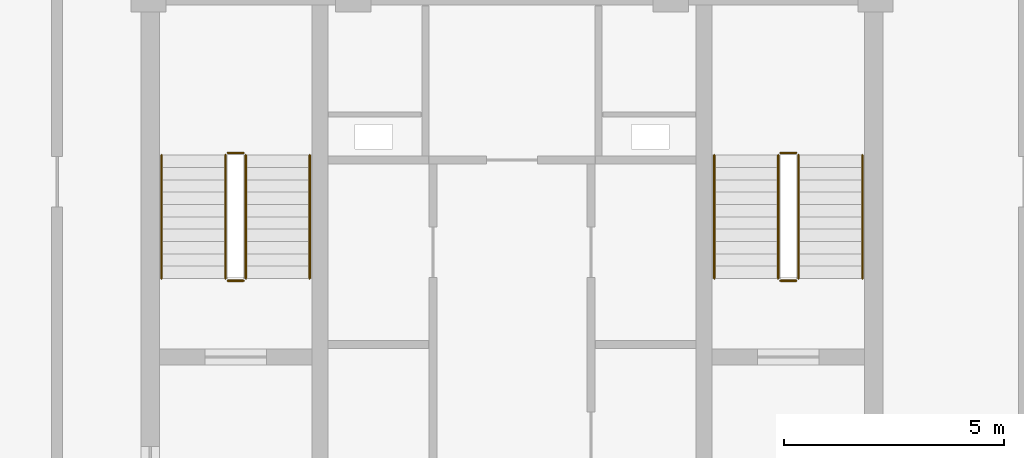
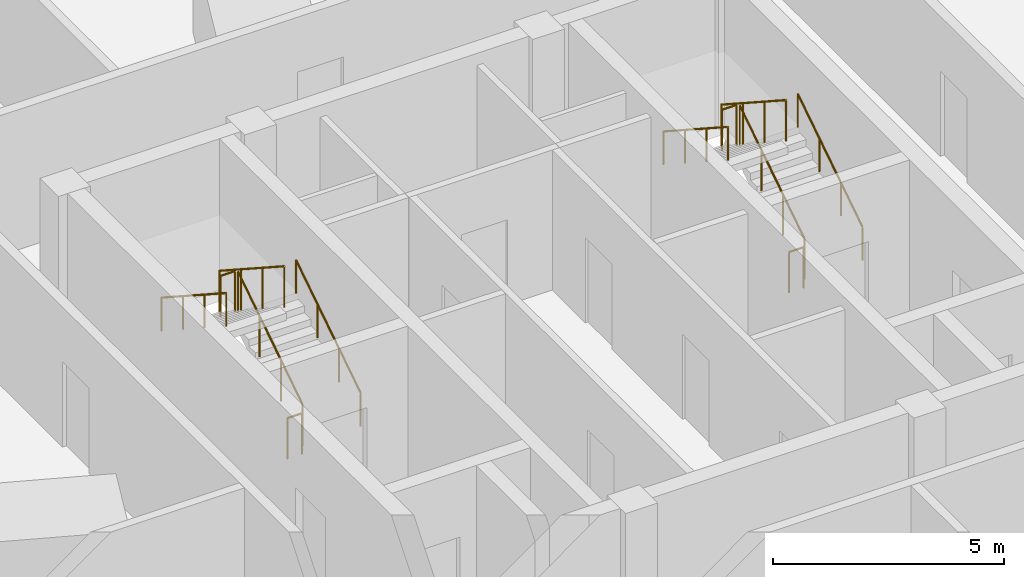
# One storey, part 25 of 26: 12 railings.
"""IFC4 building model written with IfcOpenShell, lengths in metres."""

from ifc_helpers import new_model, si_unit, direction, frame, origin, origin_2d, place, context, subcontext, project, spatial, circle, extrude, source, transform, mapped, material, type_object, element, save


model = new_model("IFC4")

# Units and contexts
model_context = context("Model", 3, precision=1e-05, world=origin(), true_north=direction((0.0, 1.0)))
body_context = subcontext(model_context, "Body", "Model", "MODEL_VIEW")
ifc_project = project(units=[si_unit("LENGTHUNIT", "METRE"), si_unit("AREAUNIT", "SQUARE_METRE"), si_unit("VOLUMEUNIT", "CUBIC_METRE"), si_unit("PLANEANGLEUNIT", "RADIAN"), si_unit("MASSUNIT", "GRAM", prefix="KILO"), si_unit("THERMODYNAMICTEMPERATUREUNIT", "KELVIN")], contexts=[model_context])

# Site, building, storey
site_placement = place(None, origin())
site = spatial("IfcSite", under=ifc_project, at=site_placement, CompositionType="ELEMENT")
building_placement = place(site_placement, origin())
building = spatial("IfcBuilding", under=site, at=building_placement, Name="Kosmvard Interchange Tower", CompositionType="ELEMENT")
storey_placement = place(building_placement, frame((0.0, 0.0, 333.60009765625)))
storey = spatial("IfcBuildingStorey", under=building, at=storey_placement, Name="L82", CompositionType="ELEMENT", Elevation=333.60009765625)

# Railings
ifc_material = material(Name="Steel S355", Category="steel")
railing_type_1 = type_object("IfcRailingType", Name="Stair & Terrace Safety Guardrail 1100 Steel", PredefinedType="GUARDRAIL", material=ifc_material)
shared_shape_1 = source(origin(), body_context, "Body", "SweptSolid", [
    extrude(circle(Radius=0.02392578125, at=origin_2d()), frame((0.0, 0.0, 1.076171875), z_axis=(-1.0, 0.0, 0.0), x_axis=(0.0, -1.0, 0.0)), (0.0, 0.0, 1.0), 0.35986328125),
    extrude(circle(Radius=0.02099609375, at=origin_2d()), origin(), (0.0, 0.0, 1.0), 1.052001953125),
    extrude(circle(Radius=0.02099609375, at=origin_2d()), frame((-0.35986328125, 0.0, 0.0)), (0.0, 0.0, 1.0), 1.052001953125),
])
for number, where, name in (
    (1, (-6.090087890625, 4.64990234375, 2.0), "L82 ST-1 stair guard 2"),
    (2, (-6.090087890625, 1.75, 0.0), "L82 ST-1 stair guard 4"),
    (3, (6.449951171875, 4.64990234375, 2.0), "L82 ST-2 stair guard 2"),
    (4, (6.449951171875, 1.75, 0.0), "L82 ST-2 stair guard 4"),
):
    element("IfcRailing", number, at=place(storey_placement, frame(where)), inside=storey, type_object=railing_type_1, Name=name, PredefinedType="GUARDRAIL", context=body_context, shape_type="MappedRepresentation", body=[
        mapped(shared_shape_1, transform((0.0, 0.0, 0.0), scale=1.0)),
    ])
shared_shape_2 = source(origin(), body_context, "Body", "SweptSolid", [
    extrude(circle(Radius=0.02392578125, at=origin_2d()), frame((0.0, 0.0, 1.076171875), z_axis=(0.0, 0.838672427954, 0.544636170843), x_axis=(-1.0, 0.0, 0.0)), (0.0, 0.0, 1.0), 3.338623046875),
    extrude(circle(Radius=0.02099609375, at=origin_2d()), origin(), (0.0, 0.0, 1.0), 1.052001953125),
    extrude(circle(Radius=0.02099609375, at=origin_2d()), frame((0.0, 0.933349609375, 0.606201171875)), (0.0, 0.0, 1.0), 1.052001953125),
    extrude(circle(Radius=0.02099609375, at=origin_2d()), frame((0.0, 1.86669921875, 1.212158203125)), (0.0, 0.0, 1.0), 1.052001953125),
    extrude(circle(Radius=0.02099609375, at=origin_2d()), frame((0.0, 2.800048828125, 1.818359375)), (0.0, 0.0, 1.0), 1.052001953125),
])
for number, where, name in (
    (5, (-6.0400390625, 1.800048828125, 0.181640625), "L82 ST-1 stair guard 1"),
    (6, (6.5, 1.800048828125, 0.181640625), "L82 ST-2 stair guard 1"),
):
    element("IfcRailing", number, at=place(storey_placement, frame(where)), inside=storey, type_object=railing_type_1, Name=name, PredefinedType="GUARDRAIL", context=body_context, shape_type="MappedRepresentation", body=[
        mapped(shared_shape_2, transform((0.0, 0.0, 0.0), scale=1.0)),
    ])
shared_shape_3 = source(origin(), body_context, "Body", "SweptSolid", [
    extrude(circle(Radius=0.02392578125, at=origin_2d()), frame((0.0, 0.0, 1.076171875), z_axis=(0.0, -0.838672427954, 0.544636170843), x_axis=(1.0, 0.0, 0.0)), (0.0, 0.0, 1.0), 3.338623046875),
    extrude(circle(Radius=0.02099609375, at=origin_2d()), origin(), (0.0, 0.0, 1.0), 1.052001953125),
    extrude(circle(Radius=0.02099609375, at=origin_2d()), frame((0.0, -0.933349609375, 0.606201171875)), (0.0, 0.0, 1.0), 1.052001953125),
    extrude(circle(Radius=0.02099609375, at=origin_2d()), frame((0.0, -1.86669921875, 1.212158203125)), (0.0, 0.0, 1.0), 1.052001953125),
    extrude(circle(Radius=0.02099609375, at=origin_2d()), frame((0.0, -2.800048828125, 1.818359375)), (0.0, 0.0, 1.0), 1.052001953125),
])
for number, where, name in (
    (7, (-6.5, 4.60009765625, 2.181640625), "L82 ST-1 stair guard 3"),
    (8, (6.0400390625, 4.60009765625, 2.181640625), "L82 ST-2 stair guard 3"),
):
    element("IfcRailing", number, at=place(storey_placement, frame(where)), inside=storey, type_object=railing_type_1, Name=name, PredefinedType="GUARDRAIL", context=body_context, shape_type="MappedRepresentation", body=[
        mapped(shared_shape_3, transform((0.0, 0.0, 0.0), scale=1.0)),
    ])
railing_type_2 = type_object("IfcRailingType", Name="Wall-Mounted Stair Handrail 900 Steel", PredefinedType="HANDRAIL", material=ifc_material)
shared_shape_4 = source(origin(), body_context, "Body", "SweptSolid", [
    extrude(circle(Radius=0.02392578125, at=origin_2d()), frame((0.0, 0.0, 0.8759765625), z_axis=(0.0, 0.838672427954, 0.544636170843), x_axis=(-1.0, 0.0, 0.0)), (0.0, 0.0, 1.0), 3.338623046875),
    extrude(circle(Radius=0.02099609375, at=origin_2d()), origin(), (0.0, 0.0, 1.0), 0.851806640625),
    extrude(circle(Radius=0.02099609375, at=origin_2d()), frame((0.0, 0.933349609375, 0.606201171875)), (0.0, 0.0, 1.0), 0.851806640625),
    extrude(circle(Radius=0.02099609375, at=origin_2d()), frame((0.0, 1.86669921875, 1.212158203125)), (0.0, 0.0, 1.0), 0.851806640625),
    extrude(circle(Radius=0.02099609375, at=origin_2d()), frame((0.0, 2.800048828125, 1.818359375)), (0.0, 0.0, 1.0), 0.851806640625),
])
for number, where, name in (
    (9, (-4.590087890625, 1.800048828125, 0.181640625), "L82 ST-1 stair handrail 1"),
    (10, (7.949951171875, 1.800048828125, 0.181640625), "L82 ST-2 stair handrail 1"),
):
    element("IfcRailing", number, at=place(storey_placement, frame(where)), inside=storey, type_object=railing_type_2, Name=name, PredefinedType="HANDRAIL", context=body_context, shape_type="MappedRepresentation", body=[
        mapped(shared_shape_4, transform((0.0, 0.0, 0.0), scale=1.0)),
    ])
shared_shape_5 = source(origin(), body_context, "Body", "SweptSolid", [
    extrude(circle(Radius=0.02392578125, at=origin_2d()), frame((0.0, 0.0, 0.8759765625), z_axis=(0.0, -0.838672427954, 0.544636170843), x_axis=(1.0, 0.0, 0.0)), (0.0, 0.0, 1.0), 3.338623046875),
    extrude(circle(Radius=0.02099609375, at=origin_2d()), origin(), (0.0, 0.0, 1.0), 0.851806640625),
    extrude(circle(Radius=0.02099609375, at=origin_2d()), frame((0.0, -0.933349609375, 0.606201171875)), (0.0, 0.0, 1.0), 0.851806640625),
    extrude(circle(Radius=0.02099609375, at=origin_2d()), frame((0.0, -1.86669921875, 1.212158203125)), (0.0, 0.0, 1.0), 0.851806640625),
    extrude(circle(Radius=0.02099609375, at=origin_2d()), frame((0.0, -2.800048828125, 1.818359375)), (0.0, 0.0, 1.0), 0.851806640625),
])
for number, where, name in (
    (11, (-7.949951171875, 4.60009765625, 2.181640625), "L82 ST-1 stair handrail 2"),
    (12, (4.590087890625, 4.60009765625, 2.181640625), "L82 ST-2 stair handrail 2"),
):
    element("IfcRailing", number, at=place(storey_placement, frame(where)), inside=storey, type_object=railing_type_2, Name=name, PredefinedType="HANDRAIL", context=body_context, shape_type="MappedRepresentation", body=[
        mapped(shared_shape_5, transform((0.0, 0.0, 0.0), scale=1.0)),
    ])

save(model, "model.ifc")
